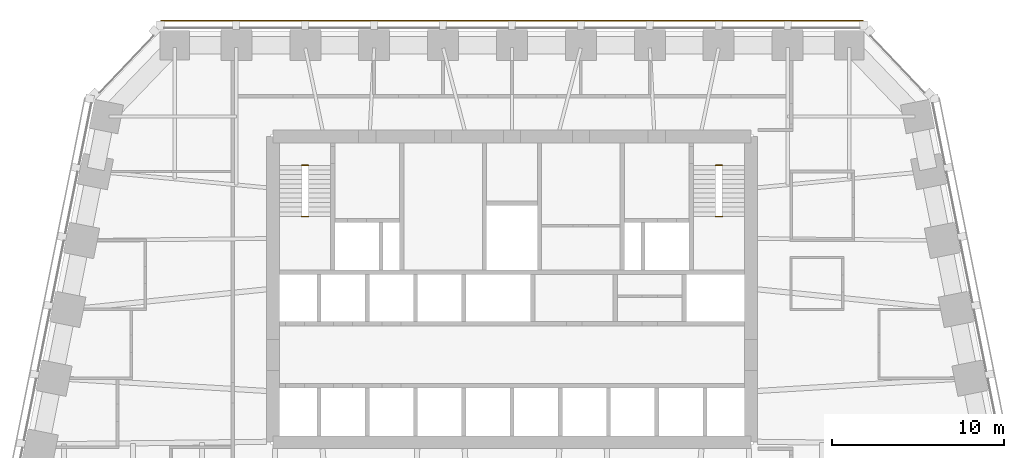
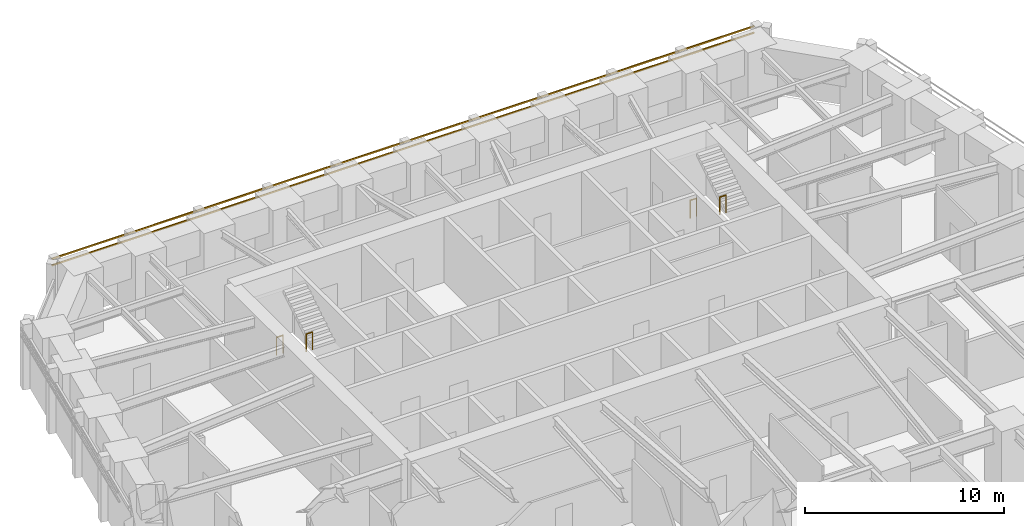
# One storey, part 10 of 10: 4 railings, 2 shading devices.
"""IFC4 building model written with IfcOpenShell, lengths in metres."""

from ifc_helpers import new_model, si_unit, direction, frame, origin, origin_2d, place, context, subcontext, project, spatial, rectangle, circle, extrude, material, material_profile, profile_set, type_object, element, save


model = new_model("IFC4")

# Units and contexts
model_context = context("Model", 3, precision=1e-05, world=origin(), true_north=direction((0.0, 1.0)))
body_context = subcontext(model_context, "Body", "Model", "MODEL_VIEW")
ifc_project = project(units=[si_unit("LENGTHUNIT", "METRE"), si_unit("AREAUNIT", "SQUARE_METRE"), si_unit("VOLUMEUNIT", "CUBIC_METRE"), si_unit("PLANEANGLEUNIT", "RADIAN"), si_unit("MASSUNIT", "GRAM", prefix="KILO")], contexts=[model_context])

# Site, building, storey
site_placement = place(None, origin())
site = spatial("IfcSite", under=ifc_project, at=site_placement, CompositionType="ELEMENT")
building_placement = place(site_placement, origin())
building = spatial("IfcBuilding", under=site, at=building_placement, Name="Isbrekke Arena Tower", CompositionType="ELEMENT")
storey_placement = place(building_placement, frame((0.0, 0.0, 115.0)))
storey = spatial("IfcBuildingStorey", under=building, at=storey_placement, Name="L25", CompositionType="ELEMENT", Elevation=115.0)

# Shading devices
ifc_material_1 = material(Name="Terracotta", Category="masonry")
ifc_material_profile = material_profile(ifc_material_1, rectangle(XDim=0.06005859375, YDim=0.06005859375, at=origin_2d()), Name="BAGUETTE 60X60")
ifc_profile_set = profile_set([ifc_material_profile], Name="Terracotta")
shading_device_type = type_object("IfcShadingDeviceType", Name="BG1 TERRACOTTA BAGUETTE 60 x 60", PredefinedType="USERDEFINED", material=ifc_profile_set)
for number, where, z_axis, x_axis, name in (
    (1, (20.39990234375, 30.60498046875, 3.280029296875), (-1.0, 0.0, 0.0), (0.0, -1.0, 0.0), "BG1 terracotta baguette N1 L25"),
    (2, (20.39990234375, 30.60498046875, 3.679931640625), (-1.0, 0.0, 0.0), (0.0, -1.0, 0.0), "BG1 terracotta baguette N2 L25"),
):
    element("IfcShadingDevice", number, at=place(storey_placement, frame(where, z_axis=z_axis, x_axis=x_axis)), inside=storey, type_object=shading_device_type, Name=name, ObjectType="TERRACOTTA BAGUETTE", PredefinedType="USERDEFINED", context=body_context, shape_type="SweptSolid", body=[
        extrude(rectangle(XDim=0.06005859375, YDim=0.06005859375, at=origin_2d()), origin(), (0.0, 0.0, 1.0), 40.7998046875),
    ])

# Railings
ifc_material_2 = material(Name="Steel stair guard, vertical bars, steel handrail", Category="steel")
railing_type = type_object("IfcRailingType", Name="GR3 STAIR WELL GUARD 1100", PredefinedType="GUARDRAIL", material=ifc_material_2)
for number, where, name in (
    (3, (-12.199951171875, 22.199951171875, 0.0), "GR3 stair well guard ST1 L25"),
    (4, (-12.199951171875, 19.22998046875, 2.0), "GR3 stair well guard ST1 L25"),
    (5, (11.824951171875, 22.199951171875, 0.0), "GR3 stair well guard ST2 L25"),
    (6, (11.824951171875, 19.22998046875, 2.0), "GR3 stair well guard ST2 L25"),
):
    element("IfcRailing", number, at=place(storey_placement, frame(where)), inside=storey, type_object=railing_type, Name=name, PredefinedType="GUARDRAIL", context=body_context, shape_type="SweptSolid", body=[
        extrude(circle(Radius=0.02392578125, at=origin_2d()), frame((0.0, 0.0, 1.076171875), z_axis=(1.0, 0.0, 0.0), x_axis=(0.0, 1.0, 0.0)), (0.0, 0.0, 1.0), 0.375),
        extrude(circle(Radius=0.02099609375, at=origin_2d()), origin(), (0.0, 0.0, 1.0), 1.052001953125),
        extrude(circle(Radius=0.02099609375, at=origin_2d()), frame((0.375, 0.0, 0.0)), (0.0, 0.0, 1.0), 1.052001953125),
    ])

save(model, "model.ifc")
